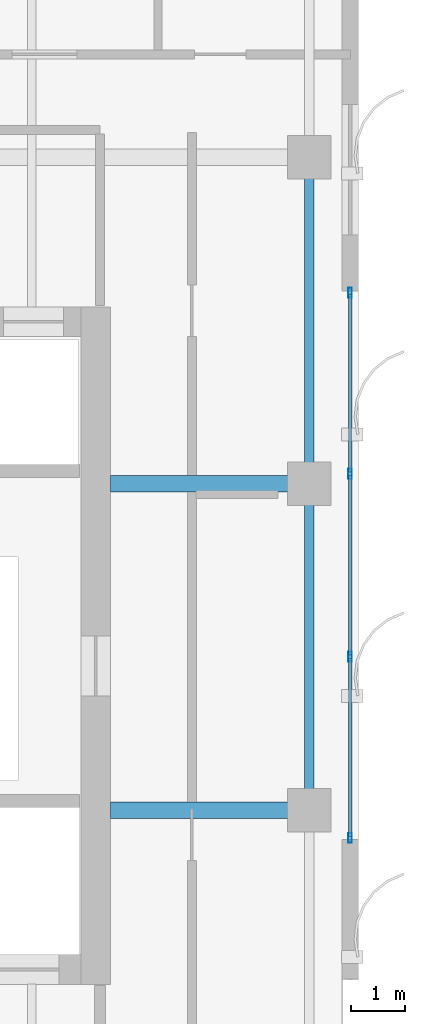
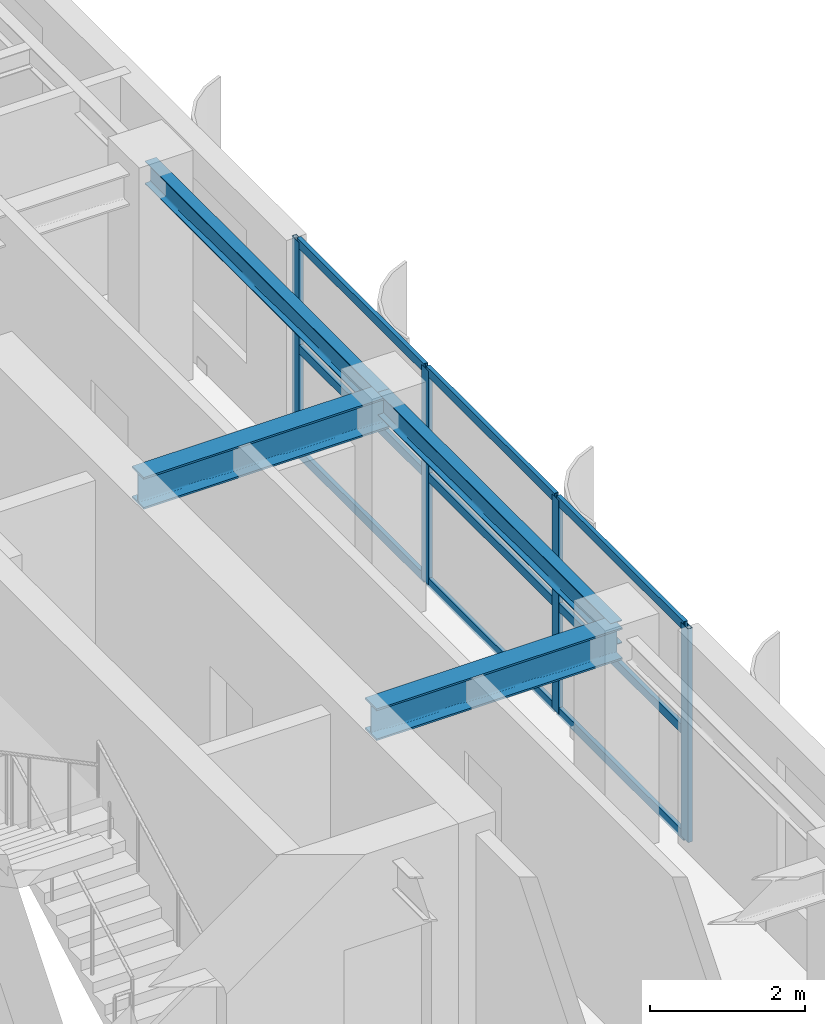
# One storey, part 12 of 22: 13 members, 4 beams, 1 element without a shape of its own.
"""IFC4 building model written with IfcOpenShell, lengths in metres."""

import ifcopenshell
import ifcopenshell.guid

model = None  # the IFC model being written
_history = None  # IfcOwnerHistory: only IFC2X3 demands one
_inside = {}  # id of a spatial element -> (the spatial element, [elements in it])
_under = {}  # id of a project, library or spatial element -> (it, [spatial elements below it])
_declared = {}  # id of a project -> (the project, [libraries it declares])
_typed = {}  # id of a type object -> (the type object, [elements of that type])
_made_of = {}  # id of a material, layer set ... -> (it, [elements and type objects made of it])


def new_model(schema):
    """Start an empty IFC model of exactly this schema.

    Asked for "IFC4X3", IfcOpenShell would pick the latest addendum, in which some entities
    have other attributes; the version numbers below select the first issue.
    IFC2X3 requires an IfcOwnerHistory on every rooted entity: one is made here for all.
    """
    global model, _history
    if schema == "IFC4X3":
        model = ifcopenshell.file(schema_version=(4, 3, 0, 0))
    else:
        model = ifcopenshell.file(schema=schema)
    _inside.clear()
    _under.clear()
    _declared.clear()
    _typed.clear()
    _made_of.clear()
    _history = None
    if model.schema == "IFC2X3":
        org = make("IfcOrganization", Name="unknown")
        user = make(
            "IfcPersonAndOrganization",
            ThePerson=make("IfcPerson", FamilyName="unknown"),
            TheOrganization=org,
        )
        app = make(
            "IfcApplication",
            ApplicationDeveloper=org,
            Version="unknown",
            ApplicationFullName="unknown",
            ApplicationIdentifier="unknown",
        )
        _history = make(
            "IfcOwnerHistory",
            OwningUser=user,
            OwningApplication=app,
            ChangeAction="ADDED",
            CreationDate=0,
        )
    return model


def make(cls, **values):
    """One entity of the class cls with the attributes given. An attribute that is None is left unset."""
    return model.create_entity(
        cls, **{name: value for name, value in values.items() if value is not None}
    )


def rooted(cls, **values):
    """An entity with a GlobalId (a new one), such as an element, a storey or a relation."""
    return make(cls, GlobalId=ifcopenshell.guid.new(), OwnerHistory=_history, **values)


def si_unit(unit_type, name, prefix=None):
    """IfcSIUnit, for example si_unit("LENGTHUNIT", "METRE", prefix="MILLI")."""
    return make("IfcSIUnit", UnitType=unit_type, Prefix=prefix, Name=name)


def assignment(units):
    """IfcUnitAssignment: the units of a project."""
    return None if units is None else make("IfcUnitAssignment", Units=units)


def point(xyz):
    """IfcCartesianPoint."""
    return None if xyz is None else make("IfcCartesianPoint", Coordinates=xyz)


def direction(xyz):
    """IfcDirection."""
    return None if xyz is None else make("IfcDirection", DirectionRatios=xyz)


def frame(location, z_axis=None, x_axis=None):
    """IfcAxis2Placement3D, a coordinate frame: its origin and axes. An axis left out is left unset."""
    return make(
        "IfcAxis2Placement3D",
        Location=point(location),
        Axis=direction(z_axis),
        RefDirection=direction(x_axis),
    )


def frame_2d(location, x_axis=None):
    """IfcAxis2Placement2D, a coordinate frame in the plane: its origin and x axis."""
    return make(
        "IfcAxis2Placement2D", Location=point(location), RefDirection=direction(x_axis)
    )


def origin():
    """The frame at (0, 0, 0) with its axes left unset."""
    return frame((0.0, 0.0, 0.0))


def origin_2d():
    """The frame at (0, 0) in the plane with its x axis left unset."""
    return frame_2d((0.0, 0.0))


def place(relative_to, where):
    """IfcLocalPlacement: puts the frame where relative to a parent placement (None: the world)."""
    return make(
        "IfcLocalPlacement", PlacementRelTo=relative_to, RelativePlacement=where
    )


def context(
    kind, dimensions, precision=None, world=None, true_north=None, identifier=None
):
    """IfcGeometricRepresentationContext, for example the 3D "Model" context."""
    return make(
        "IfcGeometricRepresentationContext",
        ContextIdentifier=identifier,
        ContextType=kind,
        CoordinateSpaceDimension=dimensions,
        Precision=precision,
        WorldCoordinateSystem=world,
        TrueNorth=true_north,
    )


def subcontext(parent, identifier, kind, view, scale=None):
    """IfcGeometricRepresentationSubContext, for example "Body" below "Model"."""
    return make(
        "IfcGeometricRepresentationSubContext",
        ContextIdentifier=identifier,
        ContextType=kind,
        ParentContext=parent,
        TargetScale=scale,
        TargetView=view,
    )


def project(units=None, contexts=None):
    """IfcProject with its units and contexts."""
    return rooted(
        "IfcProject",
        Name="project",
        RepresentationContexts=contexts,
        UnitsInContext=assignment(units),
    )


def spatial(cls, under=None, at=None, **own):
    """A site, building, storey or space (cls), placed at a placement, below another one or the project."""
    s = rooted(cls, ObjectPlacement=at, **own)
    if under is not None:
        _under.setdefault(under.id(), (under, []))[1].append(s)
    return s


def profile(cls, at=None, kind="AREA", **sizes):
    """A parametric profile (cls). Its sizes go by their IFC names, for example OverallWidth=200.0."""
    return make(cls, ProfileType=kind, Position=at, **sizes)


def hollow_rectangle(**sizes):
    """IfcRectangleHollowProfileDef."""
    return profile("IfcRectangleHollowProfileDef", **sizes)


def i_section(**sizes):
    """IfcIShapeProfileDef."""
    return profile("IfcIShapeProfileDef", **sizes)


def extrude(swept, where, along, depth):
    """IfcExtrudedAreaSolid: the profile swept, set in the frame where, extruded along a direction by depth."""
    return make(
        "IfcExtrudedAreaSolid",
        SweptArea=swept,
        Position=where,
        ExtrudedDirection=direction(along),
        Depth=depth,
    )


def shape(context_of_items, identifier, shape_type, items):
    """IfcShapeRepresentation: the items that make up one representation, for example the "Body"."""
    return make(
        "IfcShapeRepresentation",
        ContextOfItems=context_of_items,
        RepresentationIdentifier=identifier,
        RepresentationType=shape_type,
        Items=items,
    )


def source(mapping_origin, context_of_items, identifier, shape_type, items):
    """IfcRepresentationMap: a shape defined once, which mapped items show again and again."""
    return make(
        "IfcRepresentationMap",
        MappingOrigin=mapping_origin,
        MappedRepresentation=shape(context_of_items, identifier, shape_type, items),
    )


def transform(
    local_origin,
    x_axis=None,
    y_axis=None,
    z_axis=None,
    scale=None,
    scale2=None,
    scale3=None,
    uniform=True,
):
    """IfcCartesianTransformationOperator3D, or its non-uniform kind. x_axis, y_axis, z_axis: its Axis1, 2, 3."""
    if uniform:
        return make(
            "IfcCartesianTransformationOperator3D",
            Axis1=direction(x_axis),
            Axis2=direction(y_axis),
            LocalOrigin=point(local_origin),
            Scale=scale,
            Axis3=direction(z_axis),
        )
    return make(
        "IfcCartesianTransformationOperator3DnonUniform",
        Axis1=direction(x_axis),
        Axis2=direction(y_axis),
        LocalOrigin=point(local_origin),
        Scale=scale,
        Axis3=direction(z_axis),
        Scale2=scale2,
        Scale3=scale3,
    )


def mapped(mapping_source, mapping_target):
    """IfcMappedItem: shows the shape of a source again, moved by a transform."""
    return make(
        "IfcMappedItem", MappingSource=mapping_source, MappingTarget=mapping_target
    )


def material(Name=None, Category=None):
    """IfcMaterial."""
    return make("IfcMaterial", Name=Name, Category=Category)


def layer(
    of_material, thickness, ventilated=None, Name=None, Category=None, Priority=None
):
    """IfcMaterialLayer: one layer of a wall or slab, of a material (None: an air gap)."""
    return make(
        "IfcMaterialLayer",
        Material=of_material,
        LayerThickness=thickness,
        IsVentilated=ventilated,
        Name=Name,
        Category=Category,
        Priority=Priority,
    )


def layer_set(layers, Name=None):
    """IfcMaterialLayerSet."""
    return make("IfcMaterialLayerSet", MaterialLayers=layers, LayerSetName=Name)


def material_profile(
    of_material, cross_section, Name=None, Category=None, Priority=None
):
    """IfcMaterialProfile: a cross section and its material."""
    return make(
        "IfcMaterialProfile",
        Name=Name,
        Material=of_material,
        Profile=cross_section,
        Priority=Priority,
        Category=Category,
    )


def profile_set(profiles, Name=None, composite=None):
    """IfcMaterialProfileSet."""
    return make(
        "IfcMaterialProfileSet",
        Name=Name,
        MaterialProfiles=profiles,
        CompositeProfile=composite,
    )


def made_of(thing, what):
    """Note that an element or type object is made of a material, layer set ...; save() writes the relation."""
    if what is not None:
        _made_of.setdefault(what.id(), (what, []))[1].append(thing)
    return thing


def type_object(cls, material=None, **own):
    """A type object (cls), such as IfcWallType, which elements share."""
    return made_of(rooted(cls, **own), material)


def element(
    cls,
    number,
    at=None,
    inside=None,
    cuts=None,
    type_object=None,
    material=None,
    context=None,
    identifier="Body",
    shape_type=None,
    held_by="IfcProductDefinitionShape",
    body=None,
    shapes=None,
    **own,
):
    """One element of the class cls, such as IfcWall. Its Tag is "e" and its number.

    at: its placement. inside: the storey or other place that contains it. cuts: it is an
    opening in that element (IfcRelVoidsElement). A single representation is given by context,
    identifier, shape_type and body (its items); several are given by shapes. held_by: the class
    of the entity that holds the representations. save() writes the other relations.
    """
    e = rooted(cls, Tag="e%d" % number, ObjectPlacement=at, **own)
    if body is not None:
        shapes = [shape(context, identifier, shape_type, body)]
    if shapes is not None:
        e.Representation = make(held_by, Representations=shapes)
    if inside is not None:
        _inside.setdefault(inside.id(), (inside, []))[1].append(e)
    if cuts is not None:
        rooted(
            "IfcRelVoidsElement", RelatingBuildingElement=cuts, RelatedOpeningElement=e
        )
    if type_object is not None:
        _typed.setdefault(type_object.id(), (type_object, []))[1].append(e)
    return made_of(e, material)


def aggregate(whole, parts):
    """IfcRelAggregates: a whole, such as a stair, and the parts it consists of."""
    return rooted("IfcRelAggregates", RelatingObject=whole, RelatedObjects=parts)


def save(model, path):
    """Write the relations noted so far, then the file.

    IfcRelAggregates (storeys below a building ...), IfcRelContainedInSpatialStructure (elements
    in a storey), IfcRelDefinesByType, IfcRelAssociatesMaterial and IfcRelDeclares: one each for
    every whole, place, type object, material and project.
    """
    for whole, parts in _under.values():
        aggregate(whole, parts)
    for where, things in _inside.values():
        rooted(
            "IfcRelContainedInSpatialStructure",
            RelatedElements=things,
            RelatingStructure=where,
        )
    for kind, things in _typed.values():
        rooted("IfcRelDefinesByType", RelatedObjects=things, RelatingType=kind)
    for what, things in _made_of.values():
        rooted("IfcRelAssociatesMaterial", RelatedObjects=things, RelatingMaterial=what)
    for by, libraries in _declared.values():
        rooted("IfcRelDeclares", RelatingContext=by, RelatedDefinitions=libraries)
    model.write(path)


model = new_model("IFC4")

# Units and contexts
model_context = context("Model", 3, precision=1e-05, world=origin(), true_north=direction((0.0, 1.0)))
body_context = subcontext(model_context, "Body", "Model", "MODEL_VIEW")
ifc_project = project(units=[si_unit("LENGTHUNIT", "METRE"), si_unit("AREAUNIT", "SQUARE_METRE"), si_unit("VOLUMEUNIT", "CUBIC_METRE"), si_unit("PLANEANGLEUNIT", "RADIAN"), si_unit("MASSUNIT", "GRAM", prefix="KILO")], contexts=[model_context])

# Site, building, storey
site_placement = place(None, origin())
site = spatial("IfcSite", under=ifc_project, at=site_placement, CompositionType="ELEMENT")
building_placement = place(site_placement, origin())
building = spatial("IfcBuilding", under=site, at=building_placement, Name="Khoralis Quay Care Tower", CompositionType="ELEMENT")
storey_placement = place(building_placement, frame((0.0, 0.0, 242.10009765625)))
storey = spatial("IfcBuildingStorey", under=building, at=storey_placement, Name="L63", CompositionType="ELEMENT", Elevation=242.10009765625)

# Beams
ifc_material_1 = material(Name="Steel S355", Category="steel")
ifc_material_profile_1 = material_profile(ifc_material_1, i_section(OverallWidth=0.169921875, OverallDepth=0.360107421875, WebThickness=0.008056640625, FlangeThickness=0.0126953125, FilletRadius=0.01806640625, at=origin_2d()), Name="Steel S355")
ifc_profile_set_1 = profile_set([ifc_material_profile_1], Name="Steel S355")
beam_type_1 = type_object("IfcBeamType", Name="BM-IPE360", PredefinedType="SPANDREL", material=ifc_profile_set_1)
shared_shape_1 = source(origin(), body_context, "Body", "SweptSolid", [
    extrude(i_section(OverallWidth=0.169921875, OverallDepth=0.360107421875, WebThickness=0.008056640625, FlangeThickness=0.0126953125, FilletRadius=0.01806640625, at=origin_2d()), origin(), (0.0, 0.0, 1.0), 6.0),
])
for number, where, z_axis, x_axis, name in (
    (1, (41.10009765625, 18.0, 3.179931640625), (0.0, 1.0, 0.0), (-1.0, 0.0, 0.0), "BM-TSP-L63-10"),
    (2, (41.10009765625, 24.0, 3.179931640625), (0.0, 1.0, 0.0), (-1.0, 0.0, 0.0), "BM-TSP-L63-11"),
):
    element("IfcBeam", number, at=place(storey_placement, frame(where, z_axis=z_axis, x_axis=x_axis)), inside=storey, type_object=beam_type_1, Name=name, PredefinedType="SPANDREL", context=body_context, shape_type="MappedRepresentation", body=[
        mapped(shared_shape_1, transform((0.0, 0.0, 0.0), scale=1.0)),
    ])
ifc_material_profile_2 = material_profile(ifc_material_1, i_section(OverallWidth=0.300048828125, OverallDepth=0.5, WebThickness=0.014404296875, FlangeThickness=0.028076171875, FilletRadius=0.027099609375, at=origin_2d()), Name="Steel S355")
ifc_profile_set_2 = profile_set([ifc_material_profile_2], Name="Steel S355")
beam_type_2 = type_object("IfcBeamType", Name="BM-HEB500", PredefinedType="BEAM", material=ifc_profile_set_2)
shared_shape_2 = source(origin(), body_context, "Body", "SweptSolid", [
    extrude(i_section(OverallWidth=0.300048828125, OverallDepth=0.5, WebThickness=0.014404296875, FlangeThickness=0.028076171875, FilletRadius=0.027099609375, at=origin_2d()), origin(), (0.0, 0.0, 1.0), 3.652099609375),
])
for number, where, z_axis, x_axis, name in (
    (3, (37.447998046875, 18.0, 3.10986328125), (1.0, 0.0, 0.0), (0.0, 1.0, 0.0), "BM-TGXE-L63-180"),
    (4, (37.447998046875, 24.0, 3.10986328125), (1.0, 0.0, 0.0), (0.0, 1.0, 0.0), "BM-TGXE-L63-240"),
):
    element("IfcBeam", number, at=place(storey_placement, frame(where, z_axis=z_axis, x_axis=x_axis)), inside=storey, type_object=beam_type_2, Name=name, PredefinedType="BEAM", context=body_context, shape_type="MappedRepresentation", body=[
        mapped(shared_shape_2, transform((0.0, 0.0, 0.0), scale=1.0)),
    ])

# Curtain wall, members
ifc_material_2 = material(Name="Pale anodised aluminium", Category="aluminium")
ifc_layer = layer(ifc_material_2, 0.159912109375)
ifc_layer_set = layer_set([ifc_layer], Name="Pale anodised aluminium")
curtain_wall_type = type_object("IfcCurtainWallType", Name="CW-SYS-Z3", PredefinedType="NOTDEFINED", material=ifc_layer_set)
curtain_wall_placement = place(storey_placement, origin())
curtain_wall = element("IfcCurtainWall", 5, at=curtain_wall_placement, inside=storey, type_object=curtain_wall_type, Name="L63 Unitised Curtain Wall CW-L63-P2-E5", PredefinedType="NOTDEFINED")
ifc_material_profile_3 = material_profile(ifc_material_2, hollow_rectangle(XDim=0.06005859375, YDim=0.139892578125, WallThickness=0.00390625, at=origin_2d()), Name="Pale anodised aluminium")
ifc_profile_set_3 = profile_set([ifc_material_profile_3], Name="Pale anodised aluminium")
member_type_1 = type_object("IfcMemberType", Name="CW-TRN-140", PredefinedType="USERDEFINED", material=ifc_profile_set_3)
shared_shape_3 = source(origin(), body_context, "Body", "SweptSolid", [
    extrude(hollow_rectangle(XDim=0.06005859375, YDim=0.139892578125, WallThickness=0.00390625, at=origin_2d()), origin(), (0.0, 0.0, 1.0), 3.27001953125),
])
member_1_placement = place(storey_placement, frame((41.85009765625, 17.52001953125, 0.02978515625), z_axis=(0.0, 1.0, 0.0), x_axis=(-1.0, 0.0, 0.0)))
member_1 = element("IfcMember", 6, at=member_1_placement, type_object=member_type_1, Name="CW3 transom 1.1", ObjectType="TRANSOM", PredefinedType="USERDEFINED", context=body_context, shape_type="MappedRepresentation", body=[
    mapped(shared_shape_3, transform((0.0, 0.0, 0.0), scale=1.0)),
])
member_2_placement = place(storey_placement, frame((41.85009765625, 17.52001953125, 1.679931640625), z_axis=(0.0, 1.0, 0.0), x_axis=(-1.0, 0.0, 0.0)))
member_2 = element("IfcMember", 7, at=member_2_placement, type_object=member_type_1, Name="CW3 transom 1.2", ObjectType="TRANSOM", PredefinedType="USERDEFINED", context=body_context, shape_type="MappedRepresentation", body=[
    mapped(shared_shape_3, transform((0.0, 0.0, 0.0), scale=1.0)),
])
member_3_placement = place(storey_placement, frame((41.85009765625, 17.52001953125, 3.329833984375), z_axis=(0.0, 1.0, 0.0), x_axis=(-1.0, 0.0, 0.0)))
member_3 = element("IfcMember", 8, at=member_3_placement, type_object=member_type_1, Name="CW3 transom 1.3", ObjectType="TRANSOM", PredefinedType="USERDEFINED", context=body_context, shape_type="MappedRepresentation", body=[
    mapped(shared_shape_3, transform((0.0, 0.0, 0.0), scale=1.0)),
])
member_4_placement = place(storey_placement, frame((41.85009765625, 24.2099609375, 0.02978515625), z_axis=(0.0, 1.0, 0.0), x_axis=(-1.0, 0.0, 0.0)))
member_4 = element("IfcMember", 9, at=member_4_placement, type_object=member_type_1, Name="CW3 transom 3.1", ObjectType="TRANSOM", PredefinedType="USERDEFINED", context=body_context, shape_type="MappedRepresentation", body=[
    mapped(shared_shape_3, transform((0.0, 0.0, 0.0), scale=1.0)),
])
member_5_placement = place(storey_placement, frame((41.85009765625, 24.2099609375, 1.679931640625), z_axis=(0.0, 1.0, 0.0), x_axis=(-1.0, 0.0, 0.0)))
member_5 = element("IfcMember", 10, at=member_5_placement, type_object=member_type_1, Name="CW3 transom 3.2", ObjectType="TRANSOM", PredefinedType="USERDEFINED", context=body_context, shape_type="MappedRepresentation", body=[
    mapped(shared_shape_3, transform((0.0, 0.0, 0.0), scale=1.0)),
])
member_6_placement = place(storey_placement, frame((41.85009765625, 24.2099609375, 3.329833984375), z_axis=(0.0, 1.0, 0.0), x_axis=(-1.0, 0.0, 0.0)))
member_6 = element("IfcMember", 11, at=member_6_placement, type_object=member_type_1, Name="CW3 transom 3.3", ObjectType="TRANSOM", PredefinedType="USERDEFINED", context=body_context, shape_type="MappedRepresentation", body=[
    mapped(shared_shape_3, transform((0.0, 0.0, 0.0), scale=1.0)),
])
shared_shape_4 = source(origin(), body_context, "Body", "SweptSolid", [
    extrude(hollow_rectangle(XDim=0.06005859375, YDim=0.139892578125, WallThickness=0.00390625, at=origin_2d()), origin(), (0.0, 0.0, 1.0), 3.2998046875),
])
member_7_placement = place(storey_placement, frame((41.85009765625, 20.85009765625, 0.02978515625), z_axis=(0.0, 1.0, 0.0), x_axis=(-1.0, 0.0, 0.0)))
member_7 = element("IfcMember", 12, at=member_7_placement, type_object=member_type_1, Name="CW3 transom 2.1", ObjectType="TRANSOM", PredefinedType="USERDEFINED", context=body_context, shape_type="MappedRepresentation", body=[
    mapped(shared_shape_4, transform((0.0, 0.0, 0.0), scale=1.0)),
])
member_8_placement = place(storey_placement, frame((41.85009765625, 20.85009765625, 1.679931640625), z_axis=(0.0, 1.0, 0.0), x_axis=(-1.0, 0.0, 0.0)))
member_8 = element("IfcMember", 13, at=member_8_placement, type_object=member_type_1, Name="CW3 transom 2.2", ObjectType="TRANSOM", PredefinedType="USERDEFINED", context=body_context, shape_type="MappedRepresentation", body=[
    mapped(shared_shape_4, transform((0.0, 0.0, 0.0), scale=1.0)),
])
member_9_placement = place(storey_placement, frame((41.85009765625, 20.85009765625, 3.329833984375), z_axis=(0.0, 1.0, 0.0), x_axis=(-1.0, 0.0, 0.0)))
member_9 = element("IfcMember", 14, at=member_9_placement, type_object=member_type_1, Name="CW3 transom 2.3", ObjectType="TRANSOM", PredefinedType="USERDEFINED", context=body_context, shape_type="MappedRepresentation", body=[
    mapped(shared_shape_4, transform((0.0, 0.0, 0.0), scale=1.0)),
])
ifc_material_profile_4 = material_profile(ifc_material_2, hollow_rectangle(XDim=0.06494140625, YDim=0.179931640625, WallThickness=0.00390625, at=origin_2d()), Name="Pale anodised aluminium")
ifc_profile_set_4 = profile_set([ifc_material_profile_4], Name="Pale anodised aluminium")
member_type_2 = type_object("IfcMemberType", Name="CW-MUL-180", PredefinedType="MULLION", material=ifc_profile_set_4)
shared_shape_5 = source(origin(), body_context, "Body", "SweptSolid", [
    extrude(hollow_rectangle(XDim=0.06494140625, YDim=0.179931640625, WallThickness=0.00390625, at=origin_2d()), origin(), (0.0, 0.0, 1.0), 3.35986328125),
])
member_10_placement = place(storey_placement, frame((41.85009765625, 17.489990234375, 0.0), z_axis=(0.0, 0.0, 1.0), x_axis=(-1.0, 0.0, 0.0)))
member_10 = element("IfcMember", 15, at=member_10_placement, type_object=member_type_2, Name="CW3 mullion 1", PredefinedType="MULLION", context=body_context, shape_type="MappedRepresentation", body=[
    mapped(shared_shape_5, transform((0.0, 0.0, 0.0), scale=1.0)),
])
member_11_placement = place(storey_placement, frame((41.85009765625, 20.820068359375, 0.0), z_axis=(0.0, 0.0, 1.0), x_axis=(-1.0, 0.0, 0.0)))
member_11 = element("IfcMember", 16, at=member_11_placement, type_object=member_type_2, Name="CW3 mullion 2", PredefinedType="MULLION", context=body_context, shape_type="MappedRepresentation", body=[
    mapped(shared_shape_5, transform((0.0, 0.0, 0.0), scale=1.0)),
])
member_12_placement = place(storey_placement, frame((41.85009765625, 24.179931640625, 0.0), z_axis=(0.0, 0.0, 1.0), x_axis=(-1.0, 0.0, 0.0)))
member_12 = element("IfcMember", 17, at=member_12_placement, type_object=member_type_2, Name="CW3 mullion 3", PredefinedType="MULLION", context=body_context, shape_type="MappedRepresentation", body=[
    mapped(shared_shape_5, transform((0.0, 0.0, 0.0), scale=1.0)),
])
member_13_placement = place(storey_placement, frame((41.85009765625, 27.510009765625, 0.0), z_axis=(0.0, 0.0, 1.0), x_axis=(-1.0, 0.0, 0.0)))
member_13 = element("IfcMember", 18, at=member_13_placement, type_object=member_type_2, Name="CW3 mullion 4", PredefinedType="MULLION", context=body_context, shape_type="MappedRepresentation", body=[
    mapped(shared_shape_5, transform((0.0, 0.0, 0.0), scale=1.0)),
])
aggregate(curtain_wall, [member_10, member_11, member_12, member_13, member_1, member_2, member_3, member_7, member_8, member_9, member_4, member_5, member_6])

save(model, "model.ifc")
